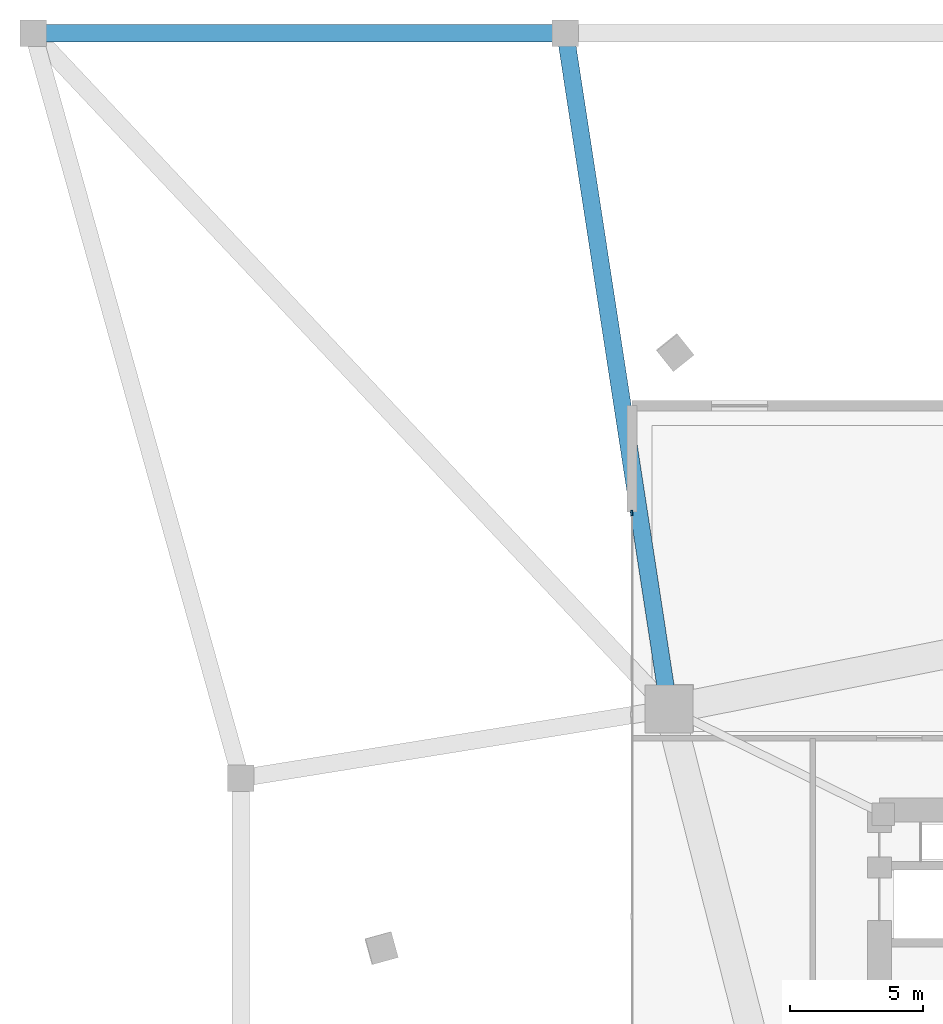
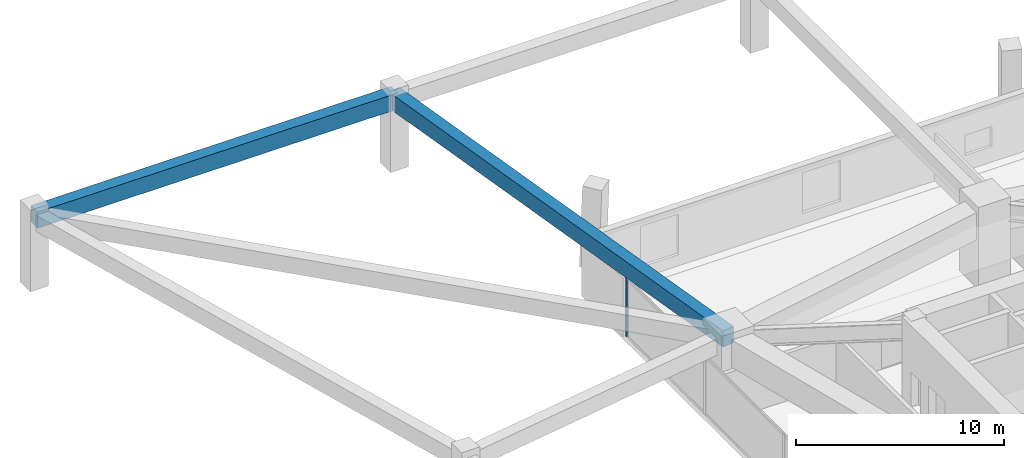
# One storey, part 9 of 15: 2 beams, 1 member, 1 element without a shape of its own.
"""IFC4 building model written with IfcOpenShell, lengths in metres."""

from ifc_helpers import new_model, si_unit, direction, frame, origin, origin_2d, place, context, subcontext, project, spatial, rectangle, extrude, material, layer, layer_set, material_profile, profile_set, type_object, element, aggregate, save


model = new_model("IFC4")

# Units and contexts
model_context = context("Model", 3, precision=1e-05, world=origin(), true_north=direction((0.0, 1.0)))
body_context = subcontext(model_context, "Body", "Model", "MODEL_VIEW")
ifc_project = project(units=[si_unit("LENGTHUNIT", "METRE"), si_unit("AREAUNIT", "SQUARE_METRE"), si_unit("VOLUMEUNIT", "CUBIC_METRE"), si_unit("PLANEANGLEUNIT", "RADIAN"), si_unit("MASSUNIT", "GRAM", prefix="KILO")], contexts=[model_context])

# Site, building, storey
site_placement = place(None, origin())
site = spatial("IfcSite", under=ifc_project, at=site_placement, CompositionType="ELEMENT")
building_placement = place(site_placement, origin())
building = spatial("IfcBuilding", under=site, at=building_placement, Name="Talyreon Biosciences Tower", CompositionType="ELEMENT")
storey_placement = place(building_placement, frame((0.0, 0.0, 5.39990234375)))
storey = spatial("IfcBuildingStorey", under=building, at=storey_placement, Name="L01", CompositionType="ELEMENT", Elevation=5.39990234375)

# Curtain wall, member
ifc_material_1 = material(Name="Thermally broken aluminium and low-E glazing", Category="aluminium")
ifc_layer = layer(ifc_material_1, 0.219970703125)
ifc_layer_set = layer_set([ifc_layer], Name="Thermally broken aluminium and low-E glazing")
curtain_wall_type = type_object("IfcCurtainWallType", Name="CurtainWall_PodiumDoubleHeight", PredefinedType="NOTDEFINED", material=ifc_layer_set)
curtain_wall_placement = place(storey_placement, origin())
curtain_wall = element("IfcCurtainWall", 1, at=curtain_wall_placement, inside=storey, type_object=curtain_wall_type, Name="L01 Unitised Curtain Wall FCW-L01-W", PredefinedType="NOTDEFINED")
ifc_material_2 = material(Name="Anodised thermally broken aluminium", Category="aluminium")
ifc_material_profile_1 = material_profile(ifc_material_2, rectangle(XDim=0.074951171875, YDim=0.2099609375, at=origin_2d()), Name="ALUM MULLION 75x210")
ifc_profile_set_1 = profile_set([ifc_material_profile_1], Name="Anodised thermally broken aluminium")
member_type = type_object("IfcMemberType", Name="CWMullion_75x210", PredefinedType="MULLION", material=ifc_profile_set_1)
member_placement = place(storey_placement, frame((48.5, 85.96240234375, 0.0), z_axis=(0.0, 0.0, 1.0), x_axis=(-1.0, 0.0, 0.0)))
member = element("IfcMember", 2, at=member_placement, type_object=member_type, Name="CW1 mullion 6", PredefinedType="MULLION", context=body_context, shape_type="SweptSolid", body=[
    extrude(rectangle(XDim=0.074951171875, YDim=0.2099609375, at=origin_2d()), origin(), (0.0, 0.0, 1.0), 3.43017578125),
])
aggregate(curtain_wall, [member])

# Beams
ifc_material_3 = material(Name="Concrete C50/60", Category="concrete")
ifc_material_profile_2 = material_profile(ifc_material_3, rectangle(XDim=0.64990234375, YDim=0.949951171875, at=origin_2d()), Name="RCB 650x950")
ifc_profile_set_2 = profile_set([ifc_material_profile_2], Name="Concrete C50/60")
beam_type = type_object("IfcBeamType", Name="PodiumGirder_650x950", PredefinedType="T_BEAM", material=ifc_profile_set_2)
beam_1_placement = place(storey_placement, frame((46.0, 104.0, 3.925048828125), z_axis=(-1.0, 0.0, 0.0), x_axis=(0.0, -1.0, 0.0)))
element("IfcBeam", 3, at=beam_1_placement, inside=storey, type_object=beam_type, Name="L01 Podium Perimeter Ring Girder 11", PredefinedType="T_BEAM", context=body_context, shape_type="SweptSolid", body=[
    extrude(rectangle(XDim=0.64990234375, YDim=0.949951171875, at=origin_2d()), origin(), (0.0, 0.0, 1.0), 20.0),
])
beam_2_placement = place(storey_placement, frame((49.897705078125, 78.5986328125, 3.925048828125), z_axis=(-0.151669534412, 0.988431258273, 0.0), x_axis=(-0.988431258273, -0.151669534412, 0.0)))
element("IfcBeam", 4, at=beam_2_placement, inside=storey, type_object=beam_type, Name="L01 Podium Radial Tie Girder PDC11", PredefinedType="T_BEAM", context=body_context, shape_type="SweptSolid", body=[
    extrude(rectangle(XDim=0.64990234375, YDim=0.949951171875, at=origin_2d()), origin(), (0.0, 0.0, 1.0), 25.69873046875),
])

save(model, "model.ifc")
